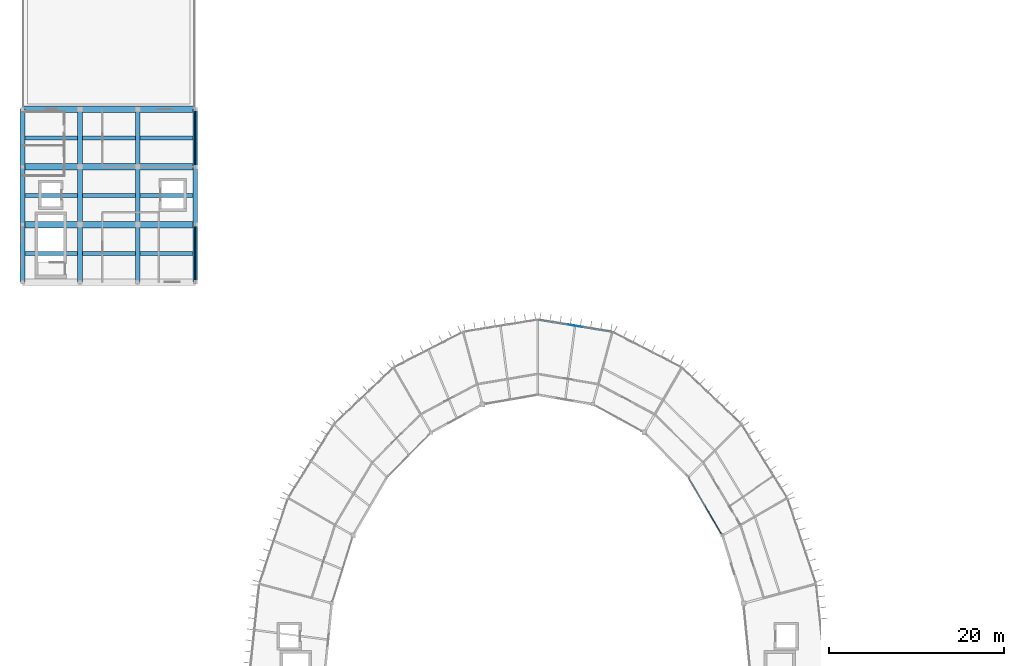
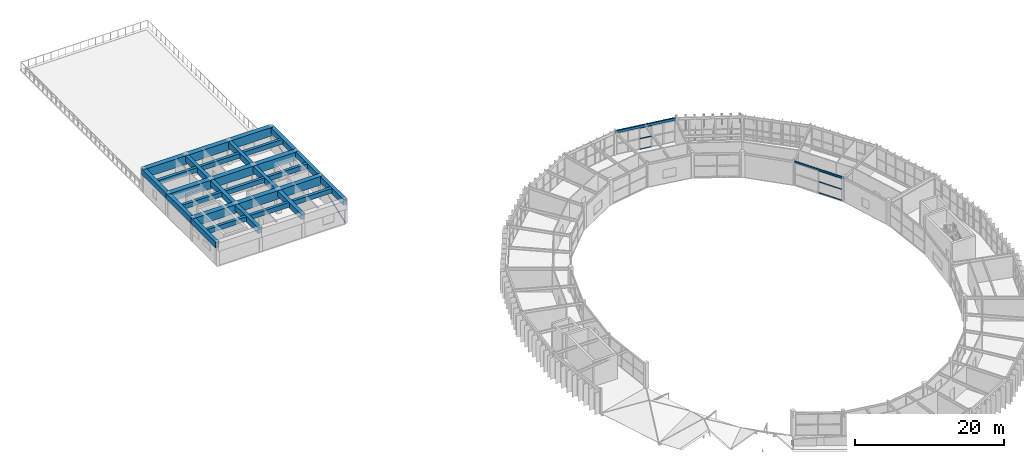
# One storey, part 65 of 106: 32 beams, 8 members, 2 elements without a shape of their own.
"""IFC4 building model written with IfcOpenShell, lengths in metres."""

import ifcopenshell
import ifcopenshell.guid

model = None  # the IFC model being written
_history = None  # IfcOwnerHistory: only IFC2X3 demands one
_inside = {}  # id of a spatial element -> (the spatial element, [elements in it])
_under = {}  # id of a project, library or spatial element -> (it, [spatial elements below it])
_declared = {}  # id of a project -> (the project, [libraries it declares])
_typed = {}  # id of a type object -> (the type object, [elements of that type])
_made_of = {}  # id of a material, layer set ... -> (it, [elements and type objects made of it])


def new_model(schema):
    """Start an empty IFC model of exactly this schema.

    Asked for "IFC4X3", IfcOpenShell would pick the latest addendum, in which some entities
    have other attributes; the version numbers below select the first issue.
    IFC2X3 requires an IfcOwnerHistory on every rooted entity: one is made here for all.
    """
    global model, _history
    if schema == "IFC4X3":
        model = ifcopenshell.file(schema_version=(4, 3, 0, 0))
    else:
        model = ifcopenshell.file(schema=schema)
    _inside.clear()
    _under.clear()
    _declared.clear()
    _typed.clear()
    _made_of.clear()
    _history = None
    if model.schema == "IFC2X3":
        org = make("IfcOrganization", Name="unknown")
        user = make(
            "IfcPersonAndOrganization",
            ThePerson=make("IfcPerson", FamilyName="unknown"),
            TheOrganization=org,
        )
        app = make(
            "IfcApplication",
            ApplicationDeveloper=org,
            Version="unknown",
            ApplicationFullName="unknown",
            ApplicationIdentifier="unknown",
        )
        _history = make(
            "IfcOwnerHistory",
            OwningUser=user,
            OwningApplication=app,
            ChangeAction="ADDED",
            CreationDate=0,
        )
    return model


def make(cls, **values):
    """One entity of the class cls with the attributes given. An attribute that is None is left unset."""
    return model.create_entity(
        cls, **{name: value for name, value in values.items() if value is not None}
    )


def rooted(cls, **values):
    """An entity with a GlobalId (a new one), such as an element, a storey or a relation."""
    return make(cls, GlobalId=ifcopenshell.guid.new(), OwnerHistory=_history, **values)


def si_unit(unit_type, name, prefix=None):
    """IfcSIUnit, for example si_unit("LENGTHUNIT", "METRE", prefix="MILLI")."""
    return make("IfcSIUnit", UnitType=unit_type, Prefix=prefix, Name=name)


def assignment(units):
    """IfcUnitAssignment: the units of a project."""
    return None if units is None else make("IfcUnitAssignment", Units=units)


def point(xyz):
    """IfcCartesianPoint."""
    return None if xyz is None else make("IfcCartesianPoint", Coordinates=xyz)


def direction(xyz):
    """IfcDirection."""
    return None if xyz is None else make("IfcDirection", DirectionRatios=xyz)


def frame(location, z_axis=None, x_axis=None):
    """IfcAxis2Placement3D, a coordinate frame: its origin and axes. An axis left out is left unset."""
    return make(
        "IfcAxis2Placement3D",
        Location=point(location),
        Axis=direction(z_axis),
        RefDirection=direction(x_axis),
    )


def frame_2d(location, x_axis=None):
    """IfcAxis2Placement2D, a coordinate frame in the plane: its origin and x axis."""
    return make(
        "IfcAxis2Placement2D", Location=point(location), RefDirection=direction(x_axis)
    )


def origin():
    """The frame at (0, 0, 0) with its axes left unset."""
    return frame((0.0, 0.0, 0.0))


def origin_2d():
    """The frame at (0, 0) in the plane with its x axis left unset."""
    return frame_2d((0.0, 0.0))


def place(relative_to, where):
    """IfcLocalPlacement: puts the frame where relative to a parent placement (None: the world)."""
    return make(
        "IfcLocalPlacement", PlacementRelTo=relative_to, RelativePlacement=where
    )


def context(
    kind, dimensions, precision=None, world=None, true_north=None, identifier=None
):
    """IfcGeometricRepresentationContext, for example the 3D "Model" context."""
    return make(
        "IfcGeometricRepresentationContext",
        ContextIdentifier=identifier,
        ContextType=kind,
        CoordinateSpaceDimension=dimensions,
        Precision=precision,
        WorldCoordinateSystem=world,
        TrueNorth=true_north,
    )


def subcontext(parent, identifier, kind, view, scale=None):
    """IfcGeometricRepresentationSubContext, for example "Body" below "Model"."""
    return make(
        "IfcGeometricRepresentationSubContext",
        ContextIdentifier=identifier,
        ContextType=kind,
        ParentContext=parent,
        TargetScale=scale,
        TargetView=view,
    )


def project(units=None, contexts=None):
    """IfcProject with its units and contexts."""
    return rooted(
        "IfcProject",
        Name="project",
        RepresentationContexts=contexts,
        UnitsInContext=assignment(units),
    )


def spatial(cls, under=None, at=None, **own):
    """A site, building, storey or space (cls), placed at a placement, below another one or the project."""
    s = rooted(cls, ObjectPlacement=at, **own)
    if under is not None:
        _under.setdefault(under.id(), (under, []))[1].append(s)
    return s


def profile(cls, at=None, kind="AREA", **sizes):
    """A parametric profile (cls). Its sizes go by their IFC names, for example OverallWidth=200.0."""
    return make(cls, ProfileType=kind, Position=at, **sizes)


def rectangle(**sizes):
    """IfcRectangleProfileDef."""
    return profile("IfcRectangleProfileDef", **sizes)


def hollow_rectangle(**sizes):
    """IfcRectangleHollowProfileDef."""
    return profile("IfcRectangleHollowProfileDef", **sizes)


def hollow_circle(**sizes):
    """IfcCircleHollowProfileDef."""
    return profile("IfcCircleHollowProfileDef", **sizes)


def extrude(swept, where, along, depth):
    """IfcExtrudedAreaSolid: the profile swept, set in the frame where, extruded along a direction by depth."""
    return make(
        "IfcExtrudedAreaSolid",
        SweptArea=swept,
        Position=where,
        ExtrudedDirection=direction(along),
        Depth=depth,
    )


def shape(context_of_items, identifier, shape_type, items):
    """IfcShapeRepresentation: the items that make up one representation, for example the "Body"."""
    return make(
        "IfcShapeRepresentation",
        ContextOfItems=context_of_items,
        RepresentationIdentifier=identifier,
        RepresentationType=shape_type,
        Items=items,
    )


def material(Name=None, Category=None):
    """IfcMaterial."""
    return make("IfcMaterial", Name=Name, Category=Category)


def material_profile(
    of_material, cross_section, Name=None, Category=None, Priority=None
):
    """IfcMaterialProfile: a cross section and its material."""
    return make(
        "IfcMaterialProfile",
        Name=Name,
        Material=of_material,
        Profile=cross_section,
        Priority=Priority,
        Category=Category,
    )


def profile_set(profiles, Name=None, composite=None):
    """IfcMaterialProfileSet."""
    return make(
        "IfcMaterialProfileSet",
        Name=Name,
        MaterialProfiles=profiles,
        CompositeProfile=composite,
    )


def made_of(thing, what):
    """Note that an element or type object is made of a material, layer set ...; save() writes the relation."""
    if what is not None:
        _made_of.setdefault(what.id(), (what, []))[1].append(thing)
    return thing


def type_object(cls, material=None, **own):
    """A type object (cls), such as IfcWallType, which elements share."""
    return made_of(rooted(cls, **own), material)


def element(
    cls,
    number,
    at=None,
    inside=None,
    cuts=None,
    type_object=None,
    material=None,
    context=None,
    identifier="Body",
    shape_type=None,
    held_by="IfcProductDefinitionShape",
    body=None,
    shapes=None,
    **own,
):
    """One element of the class cls, such as IfcWall. Its Tag is "e" and its number.

    at: its placement. inside: the storey or other place that contains it. cuts: it is an
    opening in that element (IfcRelVoidsElement). A single representation is given by context,
    identifier, shape_type and body (its items); several are given by shapes. held_by: the class
    of the entity that holds the representations. save() writes the other relations.
    """
    e = rooted(cls, Tag="e%d" % number, ObjectPlacement=at, **own)
    if body is not None:
        shapes = [shape(context, identifier, shape_type, body)]
    if shapes is not None:
        e.Representation = make(held_by, Representations=shapes)
    if inside is not None:
        _inside.setdefault(inside.id(), (inside, []))[1].append(e)
    if cuts is not None:
        rooted(
            "IfcRelVoidsElement", RelatingBuildingElement=cuts, RelatedOpeningElement=e
        )
    if type_object is not None:
        _typed.setdefault(type_object.id(), (type_object, []))[1].append(e)
    return made_of(e, material)


def aggregate(whole, parts):
    """IfcRelAggregates: a whole, such as a stair, and the parts it consists of."""
    return rooted("IfcRelAggregates", RelatingObject=whole, RelatedObjects=parts)


def save(model, path):
    """Write the relations noted so far, then the file.

    IfcRelAggregates (storeys below a building ...), IfcRelContainedInSpatialStructure (elements
    in a storey), IfcRelDefinesByType, IfcRelAssociatesMaterial and IfcRelDeclares: one each for
    every whole, place, type object, material and project.
    """
    for whole, parts in _under.values():
        aggregate(whole, parts)
    for where, things in _inside.values():
        rooted(
            "IfcRelContainedInSpatialStructure",
            RelatedElements=things,
            RelatingStructure=where,
        )
    for kind, things in _typed.values():
        rooted("IfcRelDefinesByType", RelatedObjects=things, RelatingType=kind)
    for what, things in _made_of.values():
        rooted("IfcRelAssociatesMaterial", RelatedObjects=things, RelatingMaterial=what)
    for by, libraries in _declared.values():
        rooted("IfcRelDeclares", RelatingContext=by, RelatedDefinitions=libraries)
    model.write(path)


model = new_model("IFC4")

# Units and contexts
model_context = context("Model", 3, precision=1e-05, world=origin(), true_north=direction((0.0, 1.0)))
body_context = subcontext(model_context, "Body", "Model", "MODEL_VIEW")
ifc_project = project(units=[si_unit("LENGTHUNIT", "METRE"), si_unit("AREAUNIT", "SQUARE_METRE"), si_unit("VOLUMEUNIT", "CUBIC_METRE"), si_unit("PLANEANGLEUNIT", "RADIAN"), si_unit("MASSUNIT", "GRAM", prefix="KILO")], contexts=[model_context])

# Site, building, storey
site_placement = place(None, origin())
site = spatial("IfcSite", under=ifc_project, at=site_placement, CompositionType="ELEMENT")
building_placement = place(site_placement, origin())
building = spatial("IfcBuilding", under=site, at=building_placement, Name="Karori Crest Natural Sciences Institute", CompositionType="ELEMENT")
storey_placement = place(building_placement, frame((0.0, 0.0, 25.89990234375)))
storey = spatial("IfcBuildingStorey", under=building, at=storey_placement, Name="L06", CompositionType="ELEMENT", Elevation=25.89990234375)

# Beams
ifc_material_1 = material(Name="Hollow structural steel AS/NZS 1163 Grade C350", Category="steel")
ifc_material_profile_1 = material_profile(ifc_material_1, hollow_rectangle(XDim=0.199951171875, YDim=0.39990234375, WallThickness=0.012451171875, at=origin_2d()), Name="RHS400x200x12.5")
ifc_profile_set_1 = profile_set([ifc_material_profile_1], Name="Hollow structural steel AS/NZS 1163 Grade C350")
beam_type_1 = type_object("IfcBeamType", Name="BT-14", PredefinedType="SPANDREL", material=ifc_profile_set_1)
beam_1_placement = place(storey_placement, frame((74.94091796875, 89.309814453125, 3.739990234375), z_axis=(-0.987012055933, 0.160646199591, 0.0), x_axis=(-0.160646199591, -0.987012055933, 0.0)))
element("IfcBeam", 1, at=beam_1_placement, inside=storey, type_object=beam_type_1, Name="Beam B-0659", PredefinedType="SPANDREL", context=body_context, shape_type="SweptSolid", body=[
    extrude(hollow_rectangle(XDim=0.199951171875, YDim=0.39990234375, WallThickness=0.012451171875, at=origin_2d()), origin(), (0.0, 0.0, 1.0), 8.6533203125),
])
ifc_material_profile_2 = material_profile(ifc_material_1, hollow_rectangle(XDim=0.14990234375, YDim=0.25, WallThickness=0.009033203125, at=origin_2d()), Name="RHS250x150x9")
ifc_profile_set_2 = profile_set([ifc_material_profile_2], Name="Hollow structural steel AS/NZS 1163 Grade C350")
beam_type_2 = type_object("IfcBeamType", Name="BT-16", PredefinedType="SPANDREL", material=ifc_profile_set_2)
beam_2_placement = place(storey_placement, frame((87.531005859375, 66.0, 3.7900390625), z_axis=(-0.502672163425, 0.864477122958, 0.0), x_axis=(-0.864477122958, -0.502672163425, 0.0)))
element("IfcBeam", 2, at=beam_2_placement, inside=storey, type_object=beam_type_2, Name="Beam B-0626", PredefinedType="SPANDREL", context=body_context, shape_type="SweptSolid", body=[
    extrude(hollow_rectangle(XDim=0.14990234375, YDim=0.25, WallThickness=0.009033203125, at=origin_2d()), origin(), (0.0, 0.0, 1.0), 7.714111328125),
])
ifc_material_2 = material(Name="Concrete 50 MPa", Category="concrete")
ifc_material_profile_3 = material_profile(ifc_material_2, rectangle(XDim=0.75, YDim=1.39990234375, at=origin_2d()), Name="RCB750x1400")
ifc_profile_set_3 = profile_set([ifc_material_profile_3], Name="Concrete 50 MPa")
beam_type_3 = type_object("IfcBeamType", Name="BT-17", PredefinedType="BEAM", material=ifc_profile_set_3)
for number, where, z_axis, x_axis, name in (
    (3, (7.39990234375, 114.800048828125, 3.150146484375), (1.0, 0.0, 0.0), (0.0, 1.0, 0.0), "Beam B-1910"),
    (4, (14.0, 114.800048828125, 3.150146484375), (1.0, 0.0, 0.0), (0.0, 1.0, 0.0), "Beam B-1911"),
):
    element("IfcBeam", number, at=place(storey_placement, frame(where, z_axis=z_axis, x_axis=x_axis)), inside=storey, type_object=beam_type_3, Name=name, PredefinedType="BEAM", context=body_context, shape_type="SweptSolid", body=[
        extrude(rectangle(XDim=0.75, YDim=1.39990234375, at=origin_2d()), origin(), (0.0, 0.0, 1.0), 6.60009765625),
    ])
beam_3_placement = place(storey_placement, frame((20.60009765625, 114.800048828125, 3.150146484375), z_axis=(1.0, 0.0, 0.0), x_axis=(0.0, 1.0, 0.0)))
element("IfcBeam", 5, at=beam_3_placement, inside=storey, type_object=beam_type_3, Name="Beam B-1912", PredefinedType="BEAM", context=body_context, shape_type="SweptSolid", body=[
    extrude(rectangle(XDim=0.75, YDim=1.39990234375, at=origin_2d()), origin(), (0.0, 0.0, 1.0), 6.599853515625),
])
ifc_material_profile_4 = material_profile(ifc_material_2, rectangle(XDim=0.75, YDim=1.39990234375, at=origin_2d()), Name="RCB750x1400")
ifc_profile_set_4 = profile_set([ifc_material_profile_4], Name="Concrete 50 MPa")
beam_type_4 = type_object("IfcBeamType", Name="BT-17-IL", PredefinedType="BEAM", material=ifc_profile_set_4)
for number, where, z_axis, x_axis, name in (
    (6, (7.39990234375, 101.60009765625, 3.150146484375), (1.0, 0.0, 0.0), (0.0, 1.0, 0.0), "Beam B-1904"),
    (7, (14.0, 101.60009765625, 3.150146484375), (1.0, 0.0, 0.0), (0.0, 1.0, 0.0), "Beam B-1905"),
):
    element("IfcBeam", number, at=place(storey_placement, frame(where, z_axis=z_axis, x_axis=x_axis)), inside=storey, type_object=beam_type_4, Name=name, PredefinedType="BEAM", context=body_context, shape_type="SweptSolid", body=[
        extrude(rectangle(XDim=0.75, YDim=1.39990234375, at=origin_2d()), origin(), (0.0, 0.0, 1.0), 6.60009765625),
    ])
beam_4_placement = place(storey_placement, frame((20.60009765625, 101.60009765625, 3.150146484375), z_axis=(1.0, 0.0, 0.0), x_axis=(0.0, 1.0, 0.0)))
element("IfcBeam", 8, at=beam_4_placement, inside=storey, type_object=beam_type_4, Name="Beam B-1906", PredefinedType="BEAM", context=body_context, shape_type="SweptSolid", body=[
    extrude(rectangle(XDim=0.75, YDim=1.39990234375, at=origin_2d()), origin(), (0.0, 0.0, 1.0), 6.599853515625),
])
for number, where, z_axis, x_axis, name in (
    (9, (7.39990234375, 108.199951171875, 3.150146484375), (1.0, 0.0, 0.0), (0.0, 1.0, 0.0), "Beam B-1907"),
    (10, (14.0, 108.199951171875, 3.150146484375), (1.0, 0.0, 0.0), (0.0, 1.0, 0.0), "Beam B-1908"),
):
    element("IfcBeam", number, at=place(storey_placement, frame(where, z_axis=z_axis, x_axis=x_axis)), inside=storey, type_object=beam_type_4, Name=name, PredefinedType="BEAM", context=body_context, shape_type="SweptSolid", body=[
        extrude(rectangle(XDim=0.75, YDim=1.39990234375, at=origin_2d()), origin(), (0.0, 0.0, 1.0), 6.60009765625),
    ])
beam_5_placement = place(storey_placement, frame((20.60009765625, 108.199951171875, 3.150146484375), z_axis=(1.0, 0.0, 0.0), x_axis=(0.0, 1.0, 0.0)))
element("IfcBeam", 11, at=beam_5_placement, inside=storey, type_object=beam_type_4, Name="Beam B-1909", PredefinedType="BEAM", context=body_context, shape_type="SweptSolid", body=[
    extrude(rectangle(XDim=0.75, YDim=1.39990234375, at=origin_2d()), origin(), (0.0, 0.0, 1.0), 6.599853515625),
])
ifc_material_profile_5 = material_profile(ifc_material_2, rectangle(XDim=0.550048828125, YDim=0.949951171875, at=origin_2d()), Name="RCB550x950")
ifc_profile_set_5 = profile_set([ifc_material_profile_5], Name="Concrete 50 MPa")
beam_type_5 = type_object("IfcBeamType", Name="BT-34", PredefinedType="BEAM", material=ifc_profile_set_5)
beam_6_placement = place(storey_placement, frame((7.39990234375, 95.0, 3.375), z_axis=(0.0, 1.0, 0.0), x_axis=(-1.0, 0.0, 0.0)))
element("IfcBeam", 12, at=beam_6_placement, inside=storey, type_object=beam_type_5, Name="Beam B-1913", PredefinedType="BEAM", context=body_context, shape_type="SweptSolid", body=[
    extrude(rectangle(XDim=0.550048828125, YDim=0.949951171875, at=origin_2d()), origin(), (0.0, 0.0, 1.0), 6.60009765625),
])
beam_7_placement = place(storey_placement, frame((7.39990234375, 101.60009765625, 3.375), z_axis=(0.0, 1.0, 0.0), x_axis=(-1.0, 0.0, 0.0)))
element("IfcBeam", 13, at=beam_7_placement, inside=storey, type_object=beam_type_5, Name="Beam B-1914", PredefinedType="BEAM", context=body_context, shape_type="SweptSolid", body=[
    extrude(rectangle(XDim=0.550048828125, YDim=0.949951171875, at=origin_2d()), origin(), (0.0, 0.0, 1.0), 6.599853515625),
])
for number, where, z_axis, x_axis, name in (
    (14, (7.39990234375, 108.199951171875, 3.375), (0.0, 1.0, 0.0), (-1.0, 0.0, 0.0), "Beam B-1915"),
    (15, (27.199951171875, 95.0, 3.375), (0.0, 1.0, 0.0), (-1.0, 0.0, 0.0), "Beam B-1922"),
):
    element("IfcBeam", number, at=place(storey_placement, frame(where, z_axis=z_axis, x_axis=x_axis)), inside=storey, type_object=beam_type_5, Name=name, PredefinedType="BEAM", context=body_context, shape_type="SweptSolid", body=[
        extrude(rectangle(XDim=0.550048828125, YDim=0.949951171875, at=origin_2d()), origin(), (0.0, 0.0, 1.0), 6.60009765625),
    ])
beam_8_placement = place(storey_placement, frame((27.199951171875, 101.60009765625, 3.375), z_axis=(0.0, 1.0, 0.0), x_axis=(-1.0, 0.0, 0.0)))
element("IfcBeam", 16, at=beam_8_placement, inside=storey, type_object=beam_type_5, Name="Beam B-1923", PredefinedType="BEAM", context=body_context, shape_type="SweptSolid", body=[
    extrude(rectangle(XDim=0.550048828125, YDim=0.949951171875, at=origin_2d()), origin(), (0.0, 0.0, 1.0), 6.599853515625),
])
beam_9_placement = place(storey_placement, frame((27.199951171875, 108.199951171875, 3.375), z_axis=(0.0, 1.0, 0.0), x_axis=(-1.0, 0.0, 0.0)))
element("IfcBeam", 17, at=beam_9_placement, inside=storey, type_object=beam_type_5, Name="Beam B-1924", PredefinedType="BEAM", context=body_context, shape_type="SweptSolid", body=[
    extrude(rectangle(XDim=0.550048828125, YDim=0.949951171875, at=origin_2d()), origin(), (0.0, 0.0, 1.0), 6.60009765625),
])
ifc_material_profile_6 = material_profile(ifc_material_2, rectangle(XDim=0.550048828125, YDim=0.949951171875, at=origin_2d()), Name="RCB550x950")
ifc_profile_set_6 = profile_set([ifc_material_profile_6], Name="Concrete 50 MPa")
beam_type_6 = type_object("IfcBeamType", Name="BT-34-IL", PredefinedType="BEAM", material=ifc_profile_set_6)
beam_10_placement = place(storey_placement, frame((14.0, 95.0, 3.375), z_axis=(0.0, 1.0, 0.0), x_axis=(-1.0, 0.0, 0.0)))
element("IfcBeam", 18, at=beam_10_placement, inside=storey, type_object=beam_type_6, Name="Beam B-1916", PredefinedType="BEAM", context=body_context, shape_type="SweptSolid", body=[
    extrude(rectangle(XDim=0.550048828125, YDim=0.949951171875, at=origin_2d()), origin(), (0.0, 0.0, 1.0), 6.60009765625),
])
beam_11_placement = place(storey_placement, frame((14.0, 101.60009765625, 3.375), z_axis=(0.0, 1.0, 0.0), x_axis=(-1.0, 0.0, 0.0)))
element("IfcBeam", 19, at=beam_11_placement, inside=storey, type_object=beam_type_6, Name="Beam B-1917", PredefinedType="BEAM", context=body_context, shape_type="SweptSolid", body=[
    extrude(rectangle(XDim=0.550048828125, YDim=0.949951171875, at=origin_2d()), origin(), (0.0, 0.0, 1.0), 6.599853515625),
])
for number, where, z_axis, x_axis, name in (
    (20, (14.0, 108.199951171875, 3.375), (0.0, 1.0, 0.0), (-1.0, 0.0, 0.0), "Beam B-1918"),
    (21, (20.60009765625, 95.0, 3.375), (0.0, 1.0, 0.0), (-1.0, 0.0, 0.0), "Beam B-1919"),
):
    element("IfcBeam", number, at=place(storey_placement, frame(where, z_axis=z_axis, x_axis=x_axis)), inside=storey, type_object=beam_type_6, Name=name, PredefinedType="BEAM", context=body_context, shape_type="SweptSolid", body=[
        extrude(rectangle(XDim=0.550048828125, YDim=0.949951171875, at=origin_2d()), origin(), (0.0, 0.0, 1.0), 6.60009765625),
    ])
beam_12_placement = place(storey_placement, frame((20.60009765625, 101.60009765625, 3.375), z_axis=(0.0, 1.0, 0.0), x_axis=(-1.0, 0.0, 0.0)))
element("IfcBeam", 22, at=beam_12_placement, inside=storey, type_object=beam_type_6, Name="Beam B-1920", PredefinedType="BEAM", context=body_context, shape_type="SweptSolid", body=[
    extrude(rectangle(XDim=0.550048828125, YDim=0.949951171875, at=origin_2d()), origin(), (0.0, 0.0, 1.0), 6.599853515625),
])
beam_13_placement = place(storey_placement, frame((20.60009765625, 108.199951171875, 3.375), z_axis=(0.0, 1.0, 0.0), x_axis=(-1.0, 0.0, 0.0)))
element("IfcBeam", 23, at=beam_13_placement, inside=storey, type_object=beam_type_6, Name="Beam B-1921", PredefinedType="BEAM", context=body_context, shape_type="SweptSolid", body=[
    extrude(rectangle(XDim=0.550048828125, YDim=0.949951171875, at=origin_2d()), origin(), (0.0, 0.0, 1.0), 6.60009765625),
])
ifc_material_profile_7 = material_profile(ifc_material_2, rectangle(XDim=0.449951171875, YDim=0.75, at=origin_2d()), Name="RCB450x750")
ifc_profile_set_7 = profile_set([ifc_material_profile_7], Name="Concrete 50 MPa")
beam_type_7 = type_object("IfcBeamType", Name="BT-35", PredefinedType="BEAM", material=ifc_profile_set_7)
for number, where, z_axis, x_axis, name in (
    (24, (7.675048828125, 98.300048828125, 3.47509765625), (1.0, 0.0, 0.0), (0.0, 1.0, 0.0), "Beam B-1925"),
    (25, (7.675048828125, 104.89990234375, 3.47509765625), (1.0, 0.0, 0.0), (0.0, 1.0, 0.0), "Beam B-1926"),
    (26, (7.675048828125, 111.5, 3.47509765625), (1.0, 0.0, 0.0), (0.0, 1.0, 0.0), "Beam B-1927"),
    (27, (14.27490234375, 98.300048828125, 3.47509765625), (1.0, 0.0, 0.0), (0.0, 1.0, 0.0), "Beam B-1928"),
    (28, (14.27490234375, 104.89990234375, 3.47509765625), (1.0, 0.0, 0.0), (0.0, 1.0, 0.0), "Beam B-1929"),
    (29, (14.27490234375, 111.5, 3.47509765625), (1.0, 0.0, 0.0), (0.0, 1.0, 0.0), "Beam B-1930"),
    (30, (20.875, 98.300048828125, 3.47509765625), (1.0, 0.0, 0.0), (0.0, 1.0, 0.0), "Beam B-1931"),
    (31, (20.875, 104.89990234375, 3.47509765625), (1.0, 0.0, 0.0), (0.0, 1.0, 0.0), "Beam B-1932"),
    (32, (20.875, 111.5, 3.47509765625), (1.0, 0.0, 0.0), (0.0, 1.0, 0.0), "Beam B-1933"),
):
    element("IfcBeam", number, at=place(storey_placement, frame(where, z_axis=z_axis, x_axis=x_axis)), inside=storey, type_object=beam_type_7, Name=name, PredefinedType="BEAM", context=body_context, shape_type="SweptSolid", body=[
        extrude(rectangle(XDim=0.449951171875, YDim=0.75, at=origin_2d()), origin(), (0.0, 0.0, 1.0), 6.050048828125),
    ])

# Curtain wall, members
ifc_material_3 = material(Name="Anodised architectural aluminium 6063-T6", Category="aluminium")
curtain_wall_type_1 = type_object("IfcCurtainWallType", Name="CWT-13", PredefinedType="NOTDEFINED", material=ifc_material_3)
curtain_wall_1_placement = place(storey_placement, origin())
curtain_wall_1 = element("IfcCurtainWall", 33, at=curtain_wall_1_placement, inside=storey, type_object=curtain_wall_type_1, Name="Curtain wall CW-0224", PredefinedType="NOTDEFINED")
ifc_material_profile_8 = material_profile(ifc_material_3, hollow_rectangle(XDim=0.06005859375, YDim=0.1201171875, WallThickness=0.00390625, at=origin_2d()), Name="CWT120x60x4")
ifc_profile_set_8 = profile_set([ifc_material_profile_8], Name="Anodised architectural aluminium 6063-T6")
member_type_1 = type_object("IfcMemberType", Name="CWT-TR1", PredefinedType="USERDEFINED", material=ifc_profile_set_8)
member_1_placement = place(storey_placement, frame((87.383056640625, 66.25439453125, 0.030029296875), z_axis=(-0.502629926078, 0.864501681555, 0.0), x_axis=(-0.864501681555, -0.502629926078, 0.0)))
member_1 = element("IfcMember", 34, at=member_1_placement, type_object=member_type_1, Name="CW-0224 transom 1.1", ObjectType="TRANSOM", PredefinedType="USERDEFINED", context=body_context, shape_type="SweptSolid", body=[
    extrude(hollow_rectangle(XDim=0.06005859375, YDim=0.1201171875, WallThickness=0.00390625, at=origin_2d()), origin(), (0.0, 0.0, 1.0), 3.585205078125),
])
member_2_placement = place(storey_placement, frame((87.383056640625, 66.25439453125, 1.8251953125), z_axis=(-0.502629926078, 0.864501681555, 0.0), x_axis=(-0.864501681555, -0.502629926078, 0.0)))
member_2 = element("IfcMember", 35, at=member_2_placement, type_object=member_type_1, Name="CW-0224 transom 1.2", ObjectType="TRANSOM", PredefinedType="USERDEFINED", context=body_context, shape_type="SweptSolid", body=[
    extrude(hollow_rectangle(XDim=0.06005859375, YDim=0.1201171875, WallThickness=0.00390625, at=origin_2d()), origin(), (0.0, 0.0, 1.0), 3.585205078125),
])
member_3_placement = place(storey_placement, frame((87.383056640625, 66.25439453125, 3.6201171875), z_axis=(-0.502629926078, 0.864501681555, 0.0), x_axis=(-0.864501681555, -0.502629926078, 0.0)))
member_3 = element("IfcMember", 36, at=member_3_placement, type_object=member_type_1, Name="CW-0224 transom 1.3", ObjectType="TRANSOM", PredefinedType="USERDEFINED", context=body_context, shape_type="SweptSolid", body=[
    extrude(hollow_rectangle(XDim=0.06005859375, YDim=0.1201171875, WallThickness=0.00390625, at=origin_2d()), origin(), (0.0, 0.0, 1.0), 3.585205078125),
])
aggregate(curtain_wall_1, [member_1, member_2, member_3])

curtain_wall_type_2 = type_object("IfcCurtainWallType", Name="CWT-06", PredefinedType="NOTDEFINED", material=ifc_material_3)
curtain_wall_2_placement = place(storey_placement, origin())
curtain_wall_2 = element("IfcCurtainWall", 37, at=curtain_wall_2_placement, inside=storey, type_object=curtain_wall_type_2, Name="Curtain wall CW-0228", PredefinedType="NOTDEFINED")
member_4_placement = place(storey_placement, frame((69.89404296875, 90.13134765625, 0.030029296875), z_axis=(0.98699230398, -0.160767508793, 0.0), x_axis=(0.160767508793, 0.98699230398, 0.0)))
member_4 = element("IfcMember", 38, at=member_4_placement, type_object=member_type_1, Name="CW-0228 transom 3.1", ObjectType="TRANSOM", PredefinedType="USERDEFINED", context=body_context, shape_type="SweptSolid", body=[
    extrude(hollow_rectangle(XDim=0.06005859375, YDim=0.1201171875, WallThickness=0.00390625, at=origin_2d()), origin(), (0.0, 0.0, 1.0), 1.625),
])
member_5_placement = place(storey_placement, frame((69.89404296875, 90.13134765625, 1.7626953125), z_axis=(0.98699230398, -0.160767508793, 0.0), x_axis=(0.160767508793, 0.98699230398, 0.0)))
member_5 = element("IfcMember", 39, at=member_5_placement, type_object=member_type_1, Name="CW-0228 transom 3.2", ObjectType="TRANSOM", PredefinedType="USERDEFINED", context=body_context, shape_type="SweptSolid", body=[
    extrude(hollow_rectangle(XDim=0.06005859375, YDim=0.1201171875, WallThickness=0.00390625, at=origin_2d()), origin(), (0.0, 0.0, 1.0), 1.625),
])
member_6_placement = place(storey_placement, frame((69.89404296875, 90.13134765625, 3.4951171875), z_axis=(0.98699230398, -0.160767508793, 0.0), x_axis=(0.160767508793, 0.98699230398, 0.0)))
member_6 = element("IfcMember", 40, at=member_6_placement, type_object=member_type_1, Name="CW-0228 transom 3.3", ObjectType="TRANSOM", PredefinedType="USERDEFINED", context=body_context, shape_type="SweptSolid", body=[
    extrude(hollow_rectangle(XDim=0.06005859375, YDim=0.1201171875, WallThickness=0.00390625, at=origin_2d()), origin(), (0.0, 0.0, 1.0), 1.625),
])
aggregate(curtain_wall_2, [member_4, member_5, member_6])

# Members
ifc_material_profile_9 = material_profile(ifc_material_1, hollow_circle(Radius=0.084228515625, WallThickness=0.007080078125, at=origin_2d()), Name="CHS168.3x7.1")
ifc_profile_set_9 = profile_set([ifc_material_profile_9], Name="Hollow structural steel AS/NZS 1163 Grade C350")
member_type_2 = type_object("IfcMemberType", Name="MT-03", PredefinedType="BRACE", material=ifc_profile_set_9)
for number, where, z_axis, x_axis, name in (
    (41, (27.199951171875, 95.0, 0.010009765625), (0.0, 0.937484116626, 0.348028060755), (-1.0, 0.0, 0.0), "Diagonal Brace M-0435"),
    (42, (27.199951171875, 108.199951171875, 0.010009765625), (0.0, 0.937484116626, 0.348028060755), (-1.0, 0.0, 0.0), "Diagonal Brace M-0436"),
):
    element("IfcMember", number, at=place(storey_placement, frame(where, z_axis=z_axis, x_axis=x_axis)), inside=storey, type_object=member_type_2, Name=name, PredefinedType="BRACE", context=body_context, shape_type="SweptSolid", body=[
        extrude(hollow_circle(Radius=0.084228515625, WallThickness=0.007080078125, at=origin_2d()), origin(), (0.0, 0.0, 1.0), 7.040283203125),
    ])

save(model, "model.ifc")
